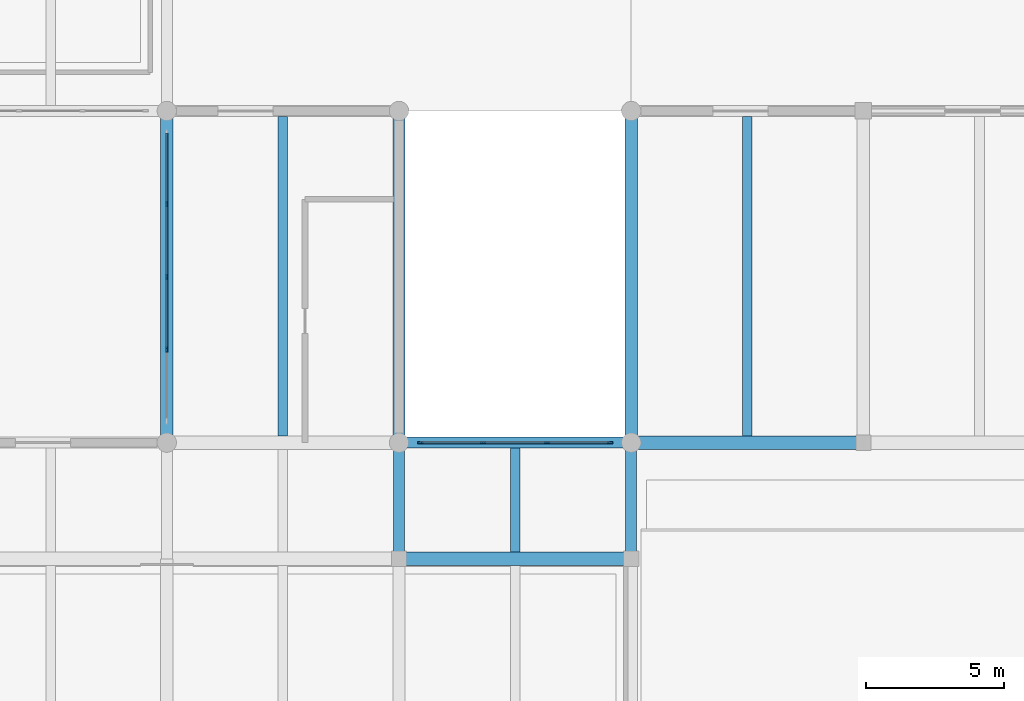
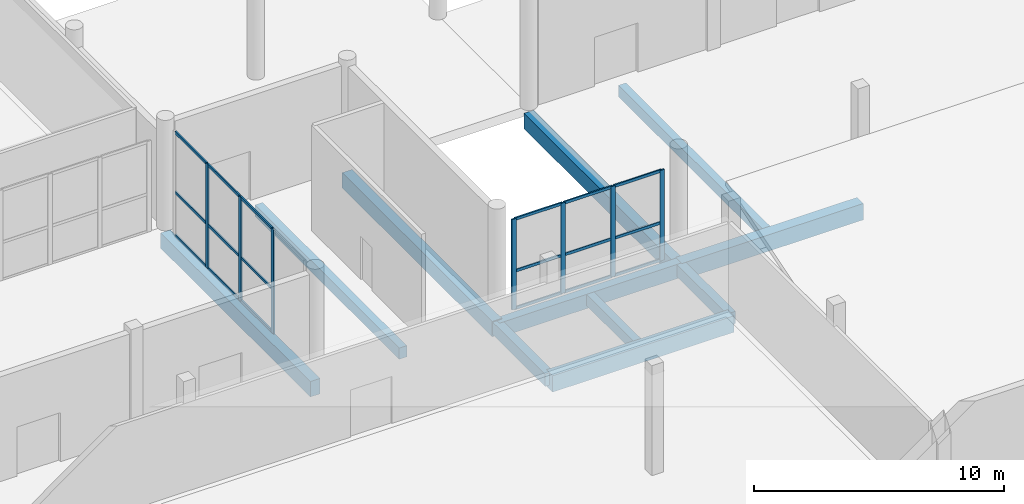
# One storey, part 15 of 41: 25 members, 11 beams, 2 elements without a shape of their own.
"""IFC4 building model written with IfcOpenShell, lengths in metres."""

import ifcopenshell
import ifcopenshell.guid

model = None  # the IFC model being written
_history = None  # IfcOwnerHistory: only IFC2X3 demands one
_inside = {}  # id of a spatial element -> (the spatial element, [elements in it])
_under = {}  # id of a project, library or spatial element -> (it, [spatial elements below it])
_declared = {}  # id of a project -> (the project, [libraries it declares])
_typed = {}  # id of a type object -> (the type object, [elements of that type])
_made_of = {}  # id of a material, layer set ... -> (it, [elements and type objects made of it])


def new_model(schema):
    """Start an empty IFC model of exactly this schema.

    Asked for "IFC4X3", IfcOpenShell would pick the latest addendum, in which some entities
    have other attributes; the version numbers below select the first issue.
    IFC2X3 requires an IfcOwnerHistory on every rooted entity: one is made here for all.
    """
    global model, _history
    if schema == "IFC4X3":
        model = ifcopenshell.file(schema_version=(4, 3, 0, 0))
    else:
        model = ifcopenshell.file(schema=schema)
    _inside.clear()
    _under.clear()
    _declared.clear()
    _typed.clear()
    _made_of.clear()
    _history = None
    if model.schema == "IFC2X3":
        org = make("IfcOrganization", Name="unknown")
        user = make(
            "IfcPersonAndOrganization",
            ThePerson=make("IfcPerson", FamilyName="unknown"),
            TheOrganization=org,
        )
        app = make(
            "IfcApplication",
            ApplicationDeveloper=org,
            Version="unknown",
            ApplicationFullName="unknown",
            ApplicationIdentifier="unknown",
        )
        _history = make(
            "IfcOwnerHistory",
            OwningUser=user,
            OwningApplication=app,
            ChangeAction="ADDED",
            CreationDate=0,
        )
    return model


def make(cls, **values):
    """One entity of the class cls with the attributes given. An attribute that is None is left unset."""
    return model.create_entity(
        cls, **{name: value for name, value in values.items() if value is not None}
    )


def rooted(cls, **values):
    """An entity with a GlobalId (a new one), such as an element, a storey or a relation."""
    return make(cls, GlobalId=ifcopenshell.guid.new(), OwnerHistory=_history, **values)


def si_unit(unit_type, name, prefix=None):
    """IfcSIUnit, for example si_unit("LENGTHUNIT", "METRE", prefix="MILLI")."""
    return make("IfcSIUnit", UnitType=unit_type, Prefix=prefix, Name=name)


def assignment(units):
    """IfcUnitAssignment: the units of a project."""
    return None if units is None else make("IfcUnitAssignment", Units=units)


def point(xyz):
    """IfcCartesianPoint."""
    return None if xyz is None else make("IfcCartesianPoint", Coordinates=xyz)


def direction(xyz):
    """IfcDirection."""
    return None if xyz is None else make("IfcDirection", DirectionRatios=xyz)


def frame(location, z_axis=None, x_axis=None):
    """IfcAxis2Placement3D, a coordinate frame: its origin and axes. An axis left out is left unset."""
    return make(
        "IfcAxis2Placement3D",
        Location=point(location),
        Axis=direction(z_axis),
        RefDirection=direction(x_axis),
    )


def frame_2d(location, x_axis=None):
    """IfcAxis2Placement2D, a coordinate frame in the plane: its origin and x axis."""
    return make(
        "IfcAxis2Placement2D", Location=point(location), RefDirection=direction(x_axis)
    )


def origin():
    """The frame at (0, 0, 0) with its axes left unset."""
    return frame((0.0, 0.0, 0.0))


def origin_2d():
    """The frame at (0, 0) in the plane with its x axis left unset."""
    return frame_2d((0.0, 0.0))


def place(relative_to, where):
    """IfcLocalPlacement: puts the frame where relative to a parent placement (None: the world)."""
    return make(
        "IfcLocalPlacement", PlacementRelTo=relative_to, RelativePlacement=where
    )


def context(
    kind, dimensions, precision=None, world=None, true_north=None, identifier=None
):
    """IfcGeometricRepresentationContext, for example the 3D "Model" context."""
    return make(
        "IfcGeometricRepresentationContext",
        ContextIdentifier=identifier,
        ContextType=kind,
        CoordinateSpaceDimension=dimensions,
        Precision=precision,
        WorldCoordinateSystem=world,
        TrueNorth=true_north,
    )


def subcontext(parent, identifier, kind, view, scale=None):
    """IfcGeometricRepresentationSubContext, for example "Body" below "Model"."""
    return make(
        "IfcGeometricRepresentationSubContext",
        ContextIdentifier=identifier,
        ContextType=kind,
        ParentContext=parent,
        TargetScale=scale,
        TargetView=view,
    )


def project(units=None, contexts=None):
    """IfcProject with its units and contexts."""
    return rooted(
        "IfcProject",
        Name="project",
        RepresentationContexts=contexts,
        UnitsInContext=assignment(units),
    )


def spatial(cls, under=None, at=None, **own):
    """A site, building, storey or space (cls), placed at a placement, below another one or the project."""
    s = rooted(cls, ObjectPlacement=at, **own)
    if under is not None:
        _under.setdefault(under.id(), (under, []))[1].append(s)
    return s


def profile(cls, at=None, kind="AREA", **sizes):
    """A parametric profile (cls). Its sizes go by their IFC names, for example OverallWidth=200.0."""
    return make(cls, ProfileType=kind, Position=at, **sizes)


def rectangle(**sizes):
    """IfcRectangleProfileDef."""
    return profile("IfcRectangleProfileDef", **sizes)


def extrude(swept, where, along, depth):
    """IfcExtrudedAreaSolid: the profile swept, set in the frame where, extruded along a direction by depth."""
    return make(
        "IfcExtrudedAreaSolid",
        SweptArea=swept,
        Position=where,
        ExtrudedDirection=direction(along),
        Depth=depth,
    )


def shape(context_of_items, identifier, shape_type, items):
    """IfcShapeRepresentation: the items that make up one representation, for example the "Body"."""
    return make(
        "IfcShapeRepresentation",
        ContextOfItems=context_of_items,
        RepresentationIdentifier=identifier,
        RepresentationType=shape_type,
        Items=items,
    )


def material(Name=None, Category=None):
    """IfcMaterial."""
    return make("IfcMaterial", Name=Name, Category=Category)


def material_profile(
    of_material, cross_section, Name=None, Category=None, Priority=None
):
    """IfcMaterialProfile: a cross section and its material."""
    return make(
        "IfcMaterialProfile",
        Name=Name,
        Material=of_material,
        Profile=cross_section,
        Priority=Priority,
        Category=Category,
    )


def profile_set(profiles, Name=None, composite=None):
    """IfcMaterialProfileSet."""
    return make(
        "IfcMaterialProfileSet",
        Name=Name,
        MaterialProfiles=profiles,
        CompositeProfile=composite,
    )


def made_of(thing, what):
    """Note that an element or type object is made of a material, layer set ...; save() writes the relation."""
    if what is not None:
        _made_of.setdefault(what.id(), (what, []))[1].append(thing)
    return thing


def type_object(cls, material=None, **own):
    """A type object (cls), such as IfcWallType, which elements share."""
    return made_of(rooted(cls, **own), material)


def element(
    cls,
    number,
    at=None,
    inside=None,
    cuts=None,
    type_object=None,
    material=None,
    context=None,
    identifier="Body",
    shape_type=None,
    held_by="IfcProductDefinitionShape",
    body=None,
    shapes=None,
    **own,
):
    """One element of the class cls, such as IfcWall. Its Tag is "e" and its number.

    at: its placement. inside: the storey or other place that contains it. cuts: it is an
    opening in that element (IfcRelVoidsElement). A single representation is given by context,
    identifier, shape_type and body (its items); several are given by shapes. held_by: the class
    of the entity that holds the representations. save() writes the other relations.
    """
    e = rooted(cls, Tag="e%d" % number, ObjectPlacement=at, **own)
    if body is not None:
        shapes = [shape(context, identifier, shape_type, body)]
    if shapes is not None:
        e.Representation = make(held_by, Representations=shapes)
    if inside is not None:
        _inside.setdefault(inside.id(), (inside, []))[1].append(e)
    if cuts is not None:
        rooted(
            "IfcRelVoidsElement", RelatingBuildingElement=cuts, RelatedOpeningElement=e
        )
    if type_object is not None:
        _typed.setdefault(type_object.id(), (type_object, []))[1].append(e)
    return made_of(e, material)


def aggregate(whole, parts):
    """IfcRelAggregates: a whole, such as a stair, and the parts it consists of."""
    return rooted("IfcRelAggregates", RelatingObject=whole, RelatedObjects=parts)


def save(model, path):
    """Write the relations noted so far, then the file.

    IfcRelAggregates (storeys below a building ...), IfcRelContainedInSpatialStructure (elements
    in a storey), IfcRelDefinesByType, IfcRelAssociatesMaterial and IfcRelDeclares: one each for
    every whole, place, type object, material and project.
    """
    for whole, parts in _under.values():
        aggregate(whole, parts)
    for where, things in _inside.values():
        rooted(
            "IfcRelContainedInSpatialStructure",
            RelatedElements=things,
            RelatingStructure=where,
        )
    for kind, things in _typed.values():
        rooted("IfcRelDefinesByType", RelatedObjects=things, RelatingType=kind)
    for what, things in _made_of.values():
        rooted("IfcRelAssociatesMaterial", RelatedObjects=things, RelatingMaterial=what)
    for by, libraries in _declared.values():
        rooted("IfcRelDeclares", RelatingContext=by, RelatedDefinitions=libraries)
    model.write(path)


model = new_model("IFC4")

# Units and contexts
model_context = context("Model", 3, precision=1e-05, world=origin(), true_north=direction((0.0, 1.0)))
body_context = subcontext(model_context, "Body", "Model", "MODEL_VIEW")
ifc_project = project(units=[si_unit("LENGTHUNIT", "METRE"), si_unit("AREAUNIT", "SQUARE_METRE"), si_unit("VOLUMEUNIT", "CUBIC_METRE"), si_unit("PLANEANGLEUNIT", "RADIAN"), si_unit("MASSUNIT", "GRAM", prefix="KILO")], contexts=[model_context])

# Site, building, storey
site_placement = place(None, origin())
site = spatial("IfcSite", under=ifc_project, at=site_placement, CompositionType="ELEMENT")
building_placement = place(site_placement, origin())
building = spatial("IfcBuilding", under=site, at=building_placement, Name="Vharandega Faculty of Natural Sciences", CompositionType="ELEMENT")
storey_placement = place(building_placement, origin())
storey = spatial("IfcBuildingStorey", under=building, at=storey_placement, Name="L00", CompositionType="ELEMENT", Elevation=0.0)

# Curtain wall, members
ifc_material_1 = material(Name="Aluminium and solar-control glass curtain wall", Category="aluminium")
curtain_wall_type_1 = type_object("IfcCurtainWallType", Name="Unitised Curtain Wall System CW-19", PredefinedType="NOTDEFINED", material=ifc_material_1)
curtain_wall_1_placement = place(storey_placement, origin())
curtain_wall_1 = element("IfcCurtainWall", 1, at=curtain_wall_1_placement, inside=storey, type_object=curtain_wall_type_1, Name="Curtain Wall CW-L00-074", PredefinedType="NOTDEFINED")
ifc_material_2 = material(Name="Thermally broken aluminium 6063-T6", Category="aluminium")
ifc_material_profile_1 = material_profile(ifc_material_2, rectangle(XDim=0.070068359375, YDim=0.199951171875, at=origin_2d()), Name="ALU 70x200")
ifc_profile_set_1 = profile_set([ifc_material_profile_1], Name="Thermally broken aluminium 6063-T6")
member_type_1 = type_object("IfcMemberType", Name="CW Mullion 70x200", PredefinedType="MULLION", material=ifc_profile_set_1)
member_1_placement = place(storey_placement, frame((72.800048828125, 88.3701171875, 0.0), z_axis=(0.0, 0.0, 1.0), x_axis=(-1.0, 0.0, 0.0)))
member_1 = element("IfcMember", 2, at=member_1_placement, type_object=member_type_1, Name="CW-19 mullion 2", PredefinedType="MULLION", context=body_context, shape_type="SweptSolid", body=[
    extrude(rectangle(XDim=0.070068359375, YDim=0.199951171875, at=origin_2d()), origin(), (0.0, 0.0, 1.0), 5.10009765625),
])
member_2_placement = place(storey_placement, frame((72.800048828125, 91.0, 0.0), z_axis=(0.0, 0.0, 1.0), x_axis=(-1.0, 0.0, 0.0)))
member_2 = element("IfcMember", 3, at=member_2_placement, type_object=member_type_1, Name="CW-19 mullion 3", PredefinedType="MULLION", context=body_context, shape_type="SweptSolid", body=[
    extrude(rectangle(XDim=0.070068359375, YDim=0.199951171875, at=origin_2d()), origin(), (0.0, 0.0, 1.0), 5.10009765625),
])
member_3_placement = place(storey_placement, frame((72.800048828125, 93.6298828125, 0.0), z_axis=(0.0, 0.0, 1.0), x_axis=(-1.0, 0.0, 0.0)))
member_3 = element("IfcMember", 4, at=member_3_placement, type_object=member_type_1, Name="CW-19 mullion 4", PredefinedType="MULLION", context=body_context, shape_type="SweptSolid", body=[
    extrude(rectangle(XDim=0.070068359375, YDim=0.199951171875, at=origin_2d()), origin(), (0.0, 0.0, 1.0), 5.10009765625),
])

ifc_material_3 = material(Name="Aluminium and solar-control glass curtain wall", Category="aluminium")
curtain_wall_type_2 = type_object("IfcCurtainWallType", Name="Unitised Curtain Wall System CW-22", PredefinedType="NOTDEFINED", material=ifc_material_3)
curtain_wall_2_placement = place(storey_placement, origin())
curtain_wall_2 = element("IfcCurtainWall", 5, at=curtain_wall_2_placement, inside=storey, type_object=curtain_wall_type_2, Name="Curtain Wall CW-L00-077", PredefinedType="NOTDEFINED")
member_4_placement = place(storey_placement, frame((81.97509765625, 85.0, 0.0), z_axis=(0.0, 0.0, 1.0), x_axis=(0.0, 1.0, 0.0)))
member_4 = element("IfcMember", 6, at=member_4_placement, type_object=member_type_1, Name="CW-22 mullion 1", PredefinedType="MULLION", context=body_context, shape_type="SweptSolid", body=[
    extrude(rectangle(XDim=0.070068359375, YDim=0.199951171875, at=origin_2d()), origin(), (0.0, 0.0, 1.0), 4.419921875),
])
member_5_placement = place(storey_placement, frame((84.24658203125, 85.0, 0.0), z_axis=(0.0, 0.0, 1.0), x_axis=(0.0, 1.0, 0.0)))
member_5 = element("IfcMember", 7, at=member_5_placement, type_object=member_type_1, Name="CW-22 mullion 2", PredefinedType="MULLION", context=body_context, shape_type="SweptSolid", body=[
    extrude(rectangle(XDim=0.070068359375, YDim=0.199951171875, at=origin_2d()), origin(), (0.0, 0.0, 1.0), 4.419921875),
])
member_6_placement = place(storey_placement, frame((86.55322265625, 85.0, 0.0), z_axis=(0.0, 0.0, 1.0), x_axis=(0.0, 1.0, 0.0)))
member_6 = element("IfcMember", 8, at=member_6_placement, type_object=member_type_1, Name="CW-22 mullion 3", PredefinedType="MULLION", context=body_context, shape_type="SweptSolid", body=[
    extrude(rectangle(XDim=0.070068359375, YDim=0.199951171875, at=origin_2d()), origin(), (0.0, 0.0, 1.0), 4.419921875),
])
member_7_placement = place(storey_placement, frame((88.824951171875, 85.0, 0.0), z_axis=(0.0, 0.0, 1.0), x_axis=(0.0, 1.0, 0.0)))
member_7 = element("IfcMember", 9, at=member_7_placement, type_object=member_type_1, Name="CW-22 mullion 4", PredefinedType="MULLION", context=body_context, shape_type="SweptSolid", body=[
    extrude(rectangle(XDim=0.070068359375, YDim=0.199951171875, at=origin_2d()), origin(), (0.0, 0.0, 1.0), 4.419921875),
])

# Member
ifc_material_4 = material(Name="Thermally broken aluminium 6063-T6", Category="aluminium")
ifc_material_profile_2 = material_profile(ifc_material_4, rectangle(XDim=0.06494140625, YDim=0.135009765625, at=origin_2d()), Name="ALU 65x135")
ifc_profile_set_2 = profile_set([ifc_material_profile_2], Name="Thermally broken aluminium 6063-T6")
member_type_2 = type_object("IfcMemberType", Name="CW Transom 65x135", PredefinedType="USERDEFINED", material=ifc_profile_set_2)
member_8_placement = place(storey_placement, frame((72.800048828125, 88.405029296875, 0.032470703125), z_axis=(0.0, 1.0, 0.0), x_axis=(-1.0, 0.0, 0.0)))
member_8 = element("IfcMember", 10, at=member_8_placement, type_object=member_type_2, Name="CW-19 transom 2.1", ObjectType="TRANSOM", PredefinedType="USERDEFINED", context=body_context, shape_type="SweptSolid", body=[
    extrude(rectangle(XDim=0.06494140625, YDim=0.135009765625, at=origin_2d()), origin(), (0.0, 0.0, 1.0), 2.56005859375),
])

member_9_placement = place(storey_placement, frame((72.800048828125, 88.405029296875, 2.14208984375), z_axis=(0.0, 1.0, 0.0), x_axis=(-1.0, 0.0, 0.0)))
member_9 = element("IfcMember", 11, at=member_9_placement, type_object=member_type_2, Name="CW-19 transom 2.2", ObjectType="TRANSOM", PredefinedType="USERDEFINED", context=body_context, shape_type="SweptSolid", body=[
    extrude(rectangle(XDim=0.06494140625, YDim=0.135009765625, at=origin_2d()), origin(), (0.0, 0.0, 1.0), 2.56005859375),
])

member_10_placement = place(storey_placement, frame((72.800048828125, 88.405029296875, 5.0673828125), z_axis=(0.0, 1.0, 0.0), x_axis=(-1.0, 0.0, 0.0)))
member_10 = element("IfcMember", 12, at=member_10_placement, type_object=member_type_2, Name="CW-19 transom 2.3", ObjectType="TRANSOM", PredefinedType="USERDEFINED", context=body_context, shape_type="SweptSolid", body=[
    extrude(rectangle(XDim=0.06494140625, YDim=0.135009765625, at=origin_2d()), origin(), (0.0, 0.0, 1.0), 2.56005859375),
])

member_11_placement = place(storey_placement, frame((72.800048828125, 91.034912109375, 0.032470703125), z_axis=(0.0, 1.0, 0.0), x_axis=(-1.0, 0.0, 0.0)))
member_11 = element("IfcMember", 13, at=member_11_placement, type_object=member_type_2, Name="CW-19 transom 3.1", ObjectType="TRANSOM", PredefinedType="USERDEFINED", context=body_context, shape_type="SweptSolid", body=[
    extrude(rectangle(XDim=0.06494140625, YDim=0.135009765625, at=origin_2d()), origin(), (0.0, 0.0, 1.0), 2.56005859375),
])

member_12_placement = place(storey_placement, frame((72.800048828125, 91.034912109375, 2.14208984375), z_axis=(0.0, 1.0, 0.0), x_axis=(-1.0, 0.0, 0.0)))
member_12 = element("IfcMember", 14, at=member_12_placement, type_object=member_type_2, Name="CW-19 transom 3.2", ObjectType="TRANSOM", PredefinedType="USERDEFINED", context=body_context, shape_type="SweptSolid", body=[
    extrude(rectangle(XDim=0.06494140625, YDim=0.135009765625, at=origin_2d()), origin(), (0.0, 0.0, 1.0), 2.56005859375),
])

member_13_placement = place(storey_placement, frame((72.800048828125, 91.034912109375, 5.0673828125), z_axis=(0.0, 1.0, 0.0), x_axis=(-1.0, 0.0, 0.0)))
member_13 = element("IfcMember", 15, at=member_13_placement, type_object=member_type_2, Name="CW-19 transom 3.3", ObjectType="TRANSOM", PredefinedType="USERDEFINED", context=body_context, shape_type="SweptSolid", body=[
    extrude(rectangle(XDim=0.06494140625, YDim=0.135009765625, at=origin_2d()), origin(), (0.0, 0.0, 1.0), 2.56005859375),
])

member_14_placement = place(storey_placement, frame((72.800048828125, 93.6650390625, 0.032470703125), z_axis=(0.0, 1.0, 0.0), x_axis=(-1.0, 0.0, 0.0)))
member_14 = element("IfcMember", 16, at=member_14_placement, type_object=member_type_2, Name="CW-19 transom 4.1", ObjectType="TRANSOM", PredefinedType="USERDEFINED", context=body_context, shape_type="SweptSolid", body=[
    extrude(rectangle(XDim=0.06494140625, YDim=0.135009765625, at=origin_2d()), origin(), (0.0, 0.0, 1.0), 2.52490234375),
])

member_15_placement = place(storey_placement, frame((72.800048828125, 93.6650390625, 2.14208984375), z_axis=(0.0, 1.0, 0.0), x_axis=(-1.0, 0.0, 0.0)))
member_15 = element("IfcMember", 17, at=member_15_placement, type_object=member_type_2, Name="CW-19 transom 4.2", ObjectType="TRANSOM", PredefinedType="USERDEFINED", context=body_context, shape_type="SweptSolid", body=[
    extrude(rectangle(XDim=0.06494140625, YDim=0.135009765625, at=origin_2d()), origin(), (0.0, 0.0, 1.0), 2.52490234375),
])

member_16_placement = place(storey_placement, frame((72.800048828125, 93.6650390625, 5.0673828125), z_axis=(0.0, 1.0, 0.0), x_axis=(-1.0, 0.0, 0.0)))
member_16 = element("IfcMember", 18, at=member_16_placement, type_object=member_type_2, Name="CW-19 transom 4.3", ObjectType="TRANSOM", PredefinedType="USERDEFINED", context=body_context, shape_type="SweptSolid", body=[
    extrude(rectangle(XDim=0.06494140625, YDim=0.135009765625, at=origin_2d()), origin(), (0.0, 0.0, 1.0), 2.52490234375),
])

aggregate(curtain_wall_1, [member_1, member_2, member_3, member_8, member_9, member_10, member_11, member_12, member_13, member_14, member_15, member_16])

member_17_placement = place(storey_placement, frame((82.010009765625, 85.0, 0.032470703125), z_axis=(1.0, 0.0, 0.0), x_axis=(0.0, 1.0, 0.0)))
member_17 = element("IfcMember", 19, at=member_17_placement, type_object=member_type_2, Name="CW-22 transom 1.1", ObjectType="TRANSOM", PredefinedType="USERDEFINED", context=body_context, shape_type="SweptSolid", body=[
    extrude(rectangle(XDim=0.06494140625, YDim=0.135009765625, at=origin_2d()), origin(), (0.0, 0.0, 1.0), 2.20166015625),
])

member_18_placement = place(storey_placement, frame((82.010009765625, 85.0, 1.8564453125), z_axis=(1.0, 0.0, 0.0), x_axis=(0.0, 1.0, 0.0)))
member_18 = element("IfcMember", 20, at=member_18_placement, type_object=member_type_2, Name="CW-22 transom 1.2", ObjectType="TRANSOM", PredefinedType="USERDEFINED", context=body_context, shape_type="SweptSolid", body=[
    extrude(rectangle(XDim=0.06494140625, YDim=0.135009765625, at=origin_2d()), origin(), (0.0, 0.0, 1.0), 2.20166015625),
])

member_19_placement = place(storey_placement, frame((82.010009765625, 85.0, 4.387451171875), z_axis=(1.0, 0.0, 0.0), x_axis=(0.0, 1.0, 0.0)))
member_19 = element("IfcMember", 21, at=member_19_placement, type_object=member_type_2, Name="CW-22 transom 1.3", ObjectType="TRANSOM", PredefinedType="USERDEFINED", context=body_context, shape_type="SweptSolid", body=[
    extrude(rectangle(XDim=0.06494140625, YDim=0.135009765625, at=origin_2d()), origin(), (0.0, 0.0, 1.0), 2.20166015625),
])

member_20_placement = place(storey_placement, frame((84.28173828125, 85.0, 0.032470703125), z_axis=(1.0, 0.0, 0.0), x_axis=(0.0, 1.0, 0.0)))
member_20 = element("IfcMember", 22, at=member_20_placement, type_object=member_type_2, Name="CW-22 transom 2.1", ObjectType="TRANSOM", PredefinedType="USERDEFINED", context=body_context, shape_type="SweptSolid", body=[
    extrude(rectangle(XDim=0.06494140625, YDim=0.135009765625, at=origin_2d()), origin(), (0.0, 0.0, 1.0), 2.236572265625),
])

member_21_placement = place(storey_placement, frame((84.28173828125, 85.0, 1.8564453125), z_axis=(1.0, 0.0, 0.0), x_axis=(0.0, 1.0, 0.0)))
member_21 = element("IfcMember", 23, at=member_21_placement, type_object=member_type_2, Name="CW-22 transom 2.2", ObjectType="TRANSOM", PredefinedType="USERDEFINED", context=body_context, shape_type="SweptSolid", body=[
    extrude(rectangle(XDim=0.06494140625, YDim=0.135009765625, at=origin_2d()), origin(), (0.0, 0.0, 1.0), 2.236572265625),
])

member_22_placement = place(storey_placement, frame((84.28173828125, 85.0, 4.387451171875), z_axis=(1.0, 0.0, 0.0), x_axis=(0.0, 1.0, 0.0)))
member_22 = element("IfcMember", 24, at=member_22_placement, type_object=member_type_2, Name="CW-22 transom 2.3", ObjectType="TRANSOM", PredefinedType="USERDEFINED", context=body_context, shape_type="SweptSolid", body=[
    extrude(rectangle(XDim=0.06494140625, YDim=0.135009765625, at=origin_2d()), origin(), (0.0, 0.0, 1.0), 2.236572265625),
])

member_23_placement = place(storey_placement, frame((86.58837890625, 85.0, 0.032470703125), z_axis=(1.0, 0.0, 0.0), x_axis=(0.0, 1.0, 0.0)))
member_23 = element("IfcMember", 25, at=member_23_placement, type_object=member_type_2, Name="CW-22 transom 3.1", ObjectType="TRANSOM", PredefinedType="USERDEFINED", context=body_context, shape_type="SweptSolid", body=[
    extrude(rectangle(XDim=0.06494140625, YDim=0.135009765625, at=origin_2d()), origin(), (0.0, 0.0, 1.0), 2.20166015625),
])

member_24_placement = place(storey_placement, frame((86.58837890625, 85.0, 1.8564453125), z_axis=(1.0, 0.0, 0.0), x_axis=(0.0, 1.0, 0.0)))
member_24 = element("IfcMember", 26, at=member_24_placement, type_object=member_type_2, Name="CW-22 transom 3.2", ObjectType="TRANSOM", PredefinedType="USERDEFINED", context=body_context, shape_type="SweptSolid", body=[
    extrude(rectangle(XDim=0.06494140625, YDim=0.135009765625, at=origin_2d()), origin(), (0.0, 0.0, 1.0), 2.20166015625),
])

member_25_placement = place(storey_placement, frame((86.58837890625, 85.0, 4.387451171875), z_axis=(1.0, 0.0, 0.0), x_axis=(0.0, 1.0, 0.0)))
member_25 = element("IfcMember", 27, at=member_25_placement, type_object=member_type_2, Name="CW-22 transom 3.3", ObjectType="TRANSOM", PredefinedType="USERDEFINED", context=body_context, shape_type="SweptSolid", body=[
    extrude(rectangle(XDim=0.06494140625, YDim=0.135009765625, at=origin_2d()), origin(), (0.0, 0.0, 1.0), 2.20166015625),
])

aggregate(curtain_wall_2, [member_4, member_5, member_6, member_7, member_17, member_18, member_19, member_20, member_21, member_22, member_23, member_24, member_25])

# Beams
ifc_material_5 = material(Name="Concrete C40/50", Category="concrete")
ifc_material_profile_3 = material_profile(ifc_material_5, rectangle(XDim=0.5, YDim=0.800048828125, at=origin_2d()), Name="RC 500x800")
ifc_profile_set_3 = profile_set([ifc_material_profile_3], Name="Concrete C40/50")
beam_type_1 = type_object("IfcBeamType", Name="Podium Heavy Girder 500x800", PredefinedType="BEAM", material=ifc_profile_set_3)
beam_1_placement = place(storey_placement, frame((81.199951171875, 80.800048828125, -0.699951171875), z_axis=(1.0, 0.0, 0.0), x_axis=(0.0, 1.0, 0.0)))
element("IfcBeam", 28, at=beam_1_placement, inside=storey, type_object=beam_type_1, Name="Beam L00 L/11-12", PredefinedType="BEAM", context=body_context, shape_type="SweptSolid", body=[
    extrude(rectangle(XDim=0.5, YDim=0.800048828125, at=origin_2d()), origin(), (0.0, 0.0, 1.0), 8.400146484375),
])
beam_2_placement = place(storey_placement, frame((89.60009765625, 85.0, -0.699951171875), z_axis=(1.0, 0.0, 0.0), x_axis=(0.0, 1.0, 0.0)))
element("IfcBeam", 29, at=beam_2_placement, inside=storey, type_object=beam_type_1, Name="Beam L00 M/12-13", PredefinedType="BEAM", context=body_context, shape_type="SweptSolid", body=[
    extrude(rectangle(XDim=0.5, YDim=0.800048828125, at=origin_2d()), origin(), (0.0, 0.0, 1.0), 8.39990234375),
])
ifc_material_6 = material(Name="Concrete C40/50", Category="concrete")
ifc_material_profile_4 = material_profile(ifc_material_6, rectangle(XDim=0.39990234375, YDim=0.60009765625, at=origin_2d()), Name="RC 400x600")
ifc_profile_set_4 = profile_set([ifc_material_profile_4], Name="Concrete C40/50")
beam_type_2 = type_object("IfcBeamType", Name="Podium Rib Beam 400x600", PredefinedType="BEAM", material=ifc_profile_set_4)
for number, where, z_axis, x_axis, name in (
    (30, (81.199951171875, 80.800048828125, -0.60009765625), (0.0, 1.0, 0.0), (-1.0, 0.0, 0.0), "Beam L00 11/L-M"),
    (31, (89.60009765625, 80.800048828125, -0.60009765625), (0.0, 1.0, 0.0), (-1.0, 0.0, 0.0), "Beam L00 12/L-M"),
):
    element("IfcBeam", number, at=place(storey_placement, frame(where, z_axis=z_axis, x_axis=x_axis)), inside=storey, type_object=beam_type_2, Name=name, PredefinedType="BEAM", context=body_context, shape_type="SweptSolid", body=[
        extrude(rectangle(XDim=0.39990234375, YDim=0.60009765625, at=origin_2d()), origin(), (0.0, 0.0, 1.0), 4.199951171875),
    ])
ifc_material_7 = material(Name="Concrete C40/50", Category="concrete")
ifc_material_profile_5 = material_profile(ifc_material_7, rectangle(XDim=0.35009765625, YDim=0.550048828125, at=origin_2d()), Name="RC 350x550")
ifc_profile_set_5 = profile_set([ifc_material_profile_5], Name="Concrete C40/50")
beam_type_3 = type_object("IfcBeamType", Name="Podium Secondary Beam 350x550", PredefinedType="JOIST", material=ifc_profile_set_5)
beam_3_placement = place(storey_placement, frame((77.0, 85.25, -0.534912109375), z_axis=(0.0, 1.0, 0.0), x_axis=(-1.0, 0.0, 0.0)))
element("IfcBeam", 32, at=beam_3_placement, inside=storey, type_object=beam_type_3, Name="Secondary Joist L00 10-11/M-N", PredefinedType="JOIST", context=body_context, shape_type="SweptSolid", body=[
    extrude(rectangle(XDim=0.35009765625, YDim=0.550048828125, at=origin_2d()), origin(), (0.0, 0.0, 1.0), 11.550048828125),
])
beam_4_placement = place(storey_placement, frame((85.39990234375, 81.050048828125, -0.574951171875), z_axis=(0.0, 1.0, 0.0), x_axis=(-1.0, 0.0, 0.0)))
element("IfcBeam", 33, at=beam_4_placement, inside=storey, type_object=beam_type_3, Name="Secondary Joist L00 11-12/L-M", PredefinedType="JOIST", context=body_context, shape_type="SweptSolid", body=[
    extrude(rectangle(XDim=0.35009765625, YDim=0.550048828125, at=origin_2d()), origin(), (0.0, 0.0, 1.0), 3.75),
])
beam_5_placement = place(storey_placement, frame((93.800048828125, 85.25, -0.574951171875), z_axis=(0.0, 1.0, 0.0), x_axis=(-1.0, 0.0, 0.0)))
element("IfcBeam", 34, at=beam_5_placement, inside=storey, type_object=beam_type_3, Name="Secondary Joist L00 12-13/M-N", PredefinedType="JOIST", context=body_context, shape_type="SweptSolid", body=[
    extrude(rectangle(XDim=0.35009765625, YDim=0.550048828125, at=origin_2d()), origin(), (0.0, 0.0, 1.0), 11.550048828125),
])
ifc_material_8 = material(Name="Concrete C40/50", Category="concrete")
ifc_material_profile_6 = material_profile(ifc_material_8, rectangle(XDim=0.39990234375, YDim=0.699951171875, at=origin_2d()), Name="RC 400x700")
ifc_profile_set_6 = profile_set([ifc_material_profile_6], Name="Concrete C40/50")
beam_type_4 = type_object("IfcBeamType", Name="Podium Spandrel Beam 400x700", PredefinedType="SPANDREL", material=ifc_profile_set_6)
beam_6_placement = place(storey_placement, frame((81.199951171875, 85.0, -0.64990234375), z_axis=(1.0, 0.0, 0.0), x_axis=(0.0, 1.0, 0.0)))
element("IfcBeam", 35, at=beam_6_placement, inside=storey, type_object=beam_type_4, Name="Beam L00 M/11-12", PredefinedType="SPANDREL", context=body_context, shape_type="SweptSolid", body=[
    extrude(rectangle(XDim=0.39990234375, YDim=0.699951171875, at=origin_2d()), origin(), (0.0, 0.0, 1.0), 8.400146484375),
])
ifc_material_9 = material(Name="Concrete C40/50", Category="concrete")
ifc_material_profile_7 = material_profile(ifc_material_9, rectangle(XDim=0.449951171875, YDim=0.75, at=origin_2d()), Name="RC 450x750")
ifc_profile_set_7 = profile_set([ifc_material_profile_7], Name="Concrete C40/50")
beam_type_5 = type_object("IfcBeamType", Name="Podium Spine Beam 450x750", PredefinedType="BEAM", material=ifc_profile_set_7)
for number, where, z_axis, x_axis, name in (
    (36, (72.800048828125, 85.0, -0.635009765625), (0.0, 1.0, 0.0), (-1.0, 0.0, 0.0), "Beam L00 10/M-N"),
    (37, (81.199951171875, 85.0, -0.635009765625), (0.0, 1.0, 0.0), (-1.0, 0.0, 0.0), "Beam L00 11/M-N"),
    (38, (89.60009765625, 85.0, -0.675048828125), (0.0, 1.0, 0.0), (-1.0, 0.0, 0.0), "Beam L00 12/M-N"),
):
    element("IfcBeam", number, at=place(storey_placement, frame(where, z_axis=z_axis, x_axis=x_axis)), inside=storey, type_object=beam_type_5, Name=name, PredefinedType="BEAM", context=body_context, shape_type="SweptSolid", body=[
        extrude(rectangle(XDim=0.449951171875, YDim=0.75, at=origin_2d()), origin(), (0.0, 0.0, 1.0), 12.0),
    ])

save(model, "model.ifc")
